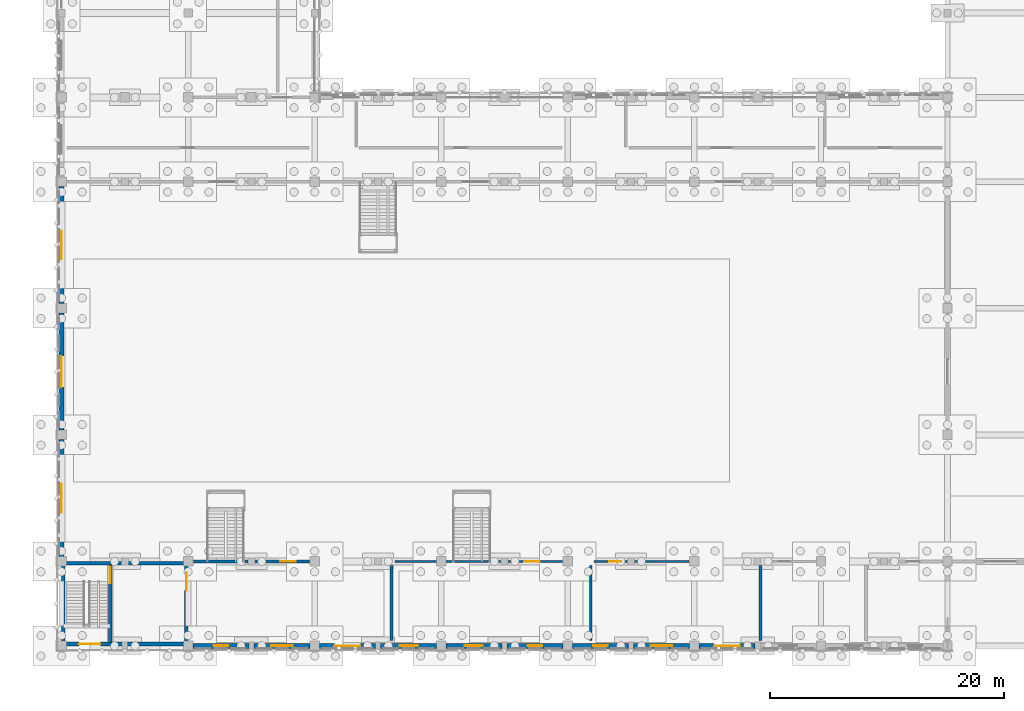
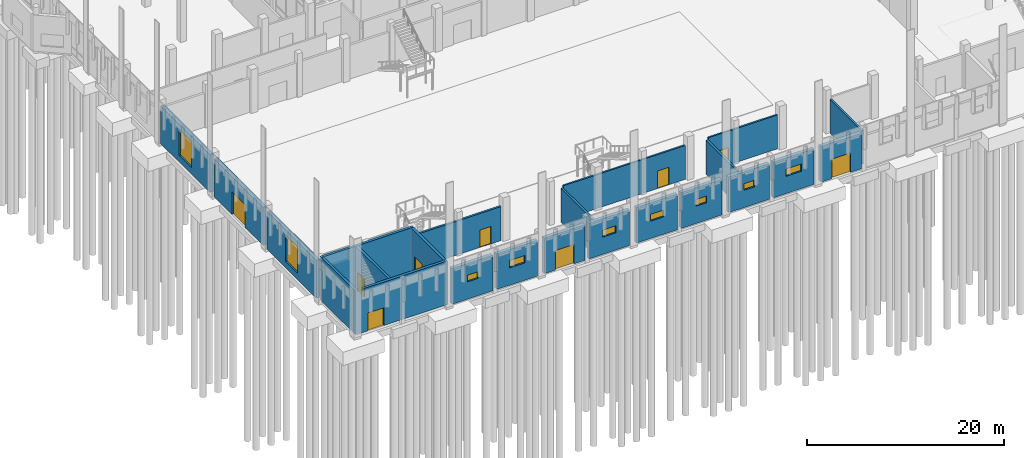
# One storey, part 82 of 109: 23 walls, 9 doors, 9 windows, 18 openings.
"""IFC4 building model written with IfcOpenShell, lengths in metres."""

from ifc_helpers import new_model, si_unit, direction, frame, frame_2d, origin, place, context, subcontext, project, spatial, rectangle, extrude, material, layer, layer_set, type_object, element, fill, save


model = new_model("IFC4")

# Units and contexts
model_context = context("Model", 3, precision=1e-05, world=origin(), true_north=direction((0.0, 1.0)))
body_context = subcontext(model_context, "Body", "Model", "MODEL_VIEW")
ifc_project = project(units=[si_unit("LENGTHUNIT", "METRE"), si_unit("AREAUNIT", "SQUARE_METRE"), si_unit("VOLUMEUNIT", "CUBIC_METRE"), si_unit("PLANEANGLEUNIT", "RADIAN"), si_unit("MASSUNIT", "GRAM", prefix="KILO")], contexts=[model_context])

# Site, building, storey
site_placement = place(None, origin())
site = spatial("IfcSite", under=ifc_project, at=site_placement, CompositionType="ELEMENT")
building_placement = place(site_placement, origin())
building = spatial("IfcBuilding", under=site, at=building_placement, Name="Lusvemor Sports Hall", CompositionType="ELEMENT")
storey_placement = place(building_placement, origin())
storey = spatial("IfcBuildingStorey", under=building, at=storey_placement, Name="L00", CompositionType="ELEMENT", Elevation=0.0)

# Wall, opening, window
ifc_material_1 = material(Name="Precast granite-faced Concrete C40/50 architectural cladding", Category="masonry")
ifc_layer_1 = layer(ifc_material_1, 0.419921875)
ifc_layer_set_1 = layer_set([ifc_layer_1], Name="Precast granite-faced Concrete C40/50 architectural cladding")
wall_type_1 = type_object("IfcWallType", Name="EW_GRANITE_420", PredefinedType="STANDARD", material=ifc_layer_set_1)
wall_1_placement = place(storey_placement, frame((15.97900390625, 0.0, 0.0), z_axis=(0.0, 0.0, 1.0), x_axis=(-1.0, 0.0, 0.0)))
wall_1 = element("IfcWall", 1, at=wall_1_placement, inside=storey, type_object=wall_type_1, Name="Exterior Wall EW-V1S-L00-1-1", PredefinedType="STANDARD", context=body_context, shape_type="SweptSolid", body=[
    extrude(rectangle(XDim=4.782958984375, YDim=0.419921875, at=frame_2d((2.3916015625, 0.0))), origin(), (0.0, 0.0, 1.0), 4.405029296875),
])
opening_1_placement = place(wall_1_placement, frame((1.76904296875, 0.0, 2.14990234375)))
opening_1 = element("IfcOpeningElement", 2, at=opening_1_placement, cuts=wall_1, Name="Opening WN15", PredefinedType="OPENING", context=body_context, shape_type="SweptSolid", body=[
    extrude(rectangle(XDim=1.239990234375, YDim=0.820068359375, at=frame_2d((0.6201171875, 0.41015625))), frame((0.0, 0.2099609375, 0.0), z_axis=(0.0, -1.0, 0.0), x_axis=(1.0, 0.0, 0.0)), (0.0, 0.0, 1.0), 0.419921875),
])
ifc_material_2 = material(Name="Solar-control laminated double glazing", Category="glass")
window_type_1 = type_object("IfcWindowType", Name="WIN_15", PartitioningType="SINGLE_PANEL", PredefinedType="WINDOW", material=ifc_material_2)
window_1_placement = place(opening_1_placement, origin())
window_1 = element("IfcWindow", 3, at=window_1_placement, inside=storey, type_object=window_type_1, Name="Boulevard Trough Changing Window 1.1", OverallHeight=0.820068359375, OverallWidth=1.239990234375, PartitioningType="SINGLE_PANEL", PredefinedType="WINDOW", context=body_context, shape_type="SweptSolid", body=[
    extrude(rectangle(XDim=1.239990234375, YDim=0.820068359375, at=frame_2d((0.6201171875, 0.41015625))), frame((0.0, 0.030029296875, 0.0), z_axis=(0.0, -1.0, 0.0), x_axis=(1.0, 0.0, 0.0)), (0.0, 0.0, 1.0), 0.06005859375),
])
fill(opening_1, window_1)

wall_2_placement = place(storey_placement, frame((21.2041015625, 0.0, 0.0), z_axis=(0.0, 0.0, 1.0), x_axis=(-1.0, 0.0, 0.0)))
wall_2 = element("IfcWall", 4, at=wall_2_placement, inside=storey, type_object=wall_type_1, Name="Exterior Wall EW-V1S-L00-1-2", PredefinedType="STANDARD", context=body_context, shape_type="SweptSolid", body=[
    extrude(rectangle(XDim=4.783203125, YDim=0.419921875, at=frame_2d((2.3916015625, 0.0))), origin(), (0.0, 0.0, 1.0), 4.405029296875),
])
opening_2_placement = place(wall_2_placement, frame((1.47412109375, 0.0, 2.14990234375)))
opening_2 = element("IfcOpeningElement", 5, at=opening_2_placement, cuts=wall_2, Name="Opening WN13", PredefinedType="OPENING", context=body_context, shape_type="SweptSolid", body=[
    extrude(rectangle(XDim=1.840087890625, YDim=0.919921875, at=frame_2d((0.919921875, 0.4599609375))), frame((0.0, 0.2099609375, 0.0), z_axis=(0.0, -1.0, 0.0), x_axis=(1.0, 0.0, 0.0)), (0.0, 0.0, 1.0), 0.419921875),
])
ifc_material_3 = material(Name="Solar-control laminated double glazing", Category="glass")
window_type_2 = type_object("IfcWindowType", Name="WIN_13", PartitioningType="SINGLE_PANEL", PredefinedType="WINDOW", material=ifc_material_3)
window_2_placement = place(opening_2_placement, origin())
window_2 = element("IfcWindow", 6, at=window_2_placement, inside=storey, type_object=window_type_2, Name="Boulevard Trough Changing Window 1.2", OverallHeight=0.919921875, OverallWidth=1.840087890625, PartitioningType="SINGLE_PANEL", PredefinedType="WINDOW", context=body_context, shape_type="SweptSolid", body=[
    extrude(rectangle(XDim=1.840087890625, YDim=0.919921875, at=frame_2d((0.919921875, 0.4599609375))), frame((0.0, 0.030029296875, 0.0), z_axis=(0.0, -1.0, 0.0), x_axis=(1.0, 0.0, 0.0)), (0.0, 0.0, 1.0), 0.06005859375),
])
fill(opening_2, window_2)

# Wall, opening, door
wall_3_placement = place(storey_placement, frame((26.779052734375, 0.0, 0.0), z_axis=(0.0, 0.0, 1.0), x_axis=(-1.0, 0.0, 0.0)))
wall_3 = element("IfcWall", 7, at=wall_3_placement, inside=storey, type_object=wall_type_1, Name="Exterior Wall EW-V1S-L00-2-1", PredefinedType="STANDARD", context=body_context, shape_type="SweptSolid", body=[
    extrude(rectangle(XDim=4.782958984375, YDim=0.419921875, at=frame_2d((2.3916015625, 0.0))), origin(), (0.0, 0.0, 1.0), 4.405029296875),
])
opening_3_placement = place(wall_3_placement, frame((1.279052734375, 0.0, 0.0)))
opening_3 = element("IfcOpeningElement", 8, at=opening_3_placement, cuts=wall_3, Name="Opening ED03", PredefinedType="OPENING", context=body_context, shape_type="SweptSolid", body=[
    extrude(rectangle(XDim=2.219970703125, YDim=2.419921875, at=frame_2d((1.10986328125, 1.2099609375))), frame((0.0, 0.2099609375, 0.0), z_axis=(0.0, -1.0, 0.0), x_axis=(1.0, 0.0, 0.0)), (0.0, 0.0, 1.0), 0.419921875),
])
ifc_material_4 = material(Name="Thermally broken bronze-anodized aluminium", Category="aluminium")
door_type_1 = type_object("IfcDoorType", Name="EDR_COURT_EXIT_222x242", OperationType="NOTDEFINED", PredefinedType="DOOR", material=ifc_material_4)
door_1_placement = place(opening_3_placement, origin())
door_1 = element("IfcDoor", 9, at=door_1_placement, inside=storey, type_object=door_type_1, Name="DR-009", OperationType="SINGLE_SWING_LEFT", OverallHeight=2.419921875, OverallWidth=2.219970703125, PredefinedType="DOOR", context=body_context, shape_type="SweptSolid", body=[
    extrude(rectangle(XDim=2.219970703125, YDim=2.419921875, at=frame_2d((1.10986328125, 1.2099609375))), frame((0.0, 0.02490234375, 0.0), z_axis=(0.0, -1.0, 0.0), x_axis=(1.0, 0.0, 0.0)), (0.0, 0.0, 1.0), 0.050048828125),
])
fill(opening_3, door_1)

# Wall, opening, window
wall_4_placement = place(storey_placement, frame((32.00390625, 0.0, 0.0), z_axis=(0.0, 0.0, 1.0), x_axis=(-1.0, 0.0, 0.0)))
wall_4 = element("IfcWall", 10, at=wall_4_placement, inside=storey, type_object=wall_type_1, Name="Exterior Wall EW-V1S-L00-2-2", PredefinedType="STANDARD", context=body_context, shape_type="SweptSolid", body=[
    extrude(rectangle(XDim=4.782958984375, YDim=0.419921875, at=frame_2d((2.3916015625, 0.0))), origin(), (0.0, 0.0, 1.0), 4.405029296875),
])
opening_4_placement = place(wall_4_placement, frame((1.6240234375, 0.0, 2.14990234375)))
opening_4 = element("IfcOpeningElement", 11, at=opening_4_placement, cuts=wall_4, Name="Opening WN14", PredefinedType="OPENING", context=body_context, shape_type="SweptSolid", body=[
    extrude(rectangle(XDim=1.5400390625, YDim=0.860107421875, at=frame_2d((0.77001953125, 0.43017578125))), frame((0.0, 0.2099609375, 0.0), z_axis=(0.0, -1.0, 0.0), x_axis=(1.0, 0.0, 0.0)), (0.0, 0.0, 1.0), 0.419921875),
])
ifc_material_5 = material(Name="Solar-control laminated double glazing", Category="glass")
window_type_3 = type_object("IfcWindowType", Name="WIN_14", PartitioningType="SINGLE_PANEL", PredefinedType="WINDOW", material=ifc_material_5)
window_3_placement = place(opening_4_placement, origin())
window_3 = element("IfcWindow", 12, at=window_3_placement, inside=storey, type_object=window_type_3, Name="Boulevard Trough Changing Window 2.2", OverallHeight=0.860107421875, OverallWidth=1.5400390625, PartitioningType="SINGLE_PANEL", PredefinedType="WINDOW", context=body_context, shape_type="SweptSolid", body=[
    extrude(rectangle(XDim=1.5400390625, YDim=0.860107421875, at=frame_2d((0.77001953125, 0.43017578125))), frame((0.0, 0.030029296875, 0.0), z_axis=(0.0, -1.0, 0.0), x_axis=(1.0, 0.0, 0.0)), (0.0, 0.0, 1.0), 0.06005859375),
])
fill(opening_4, window_3)

wall_5_placement = place(storey_placement, frame((37.5791015625, 0.0, 0.0), z_axis=(0.0, 0.0, 1.0), x_axis=(-1.0, 0.0, 0.0)))
wall_5 = element("IfcWall", 13, at=wall_5_placement, inside=storey, type_object=wall_type_1, Name="Exterior Wall EW-V1S-L00-3-1", PredefinedType="STANDARD", context=body_context, shape_type="SweptSolid", body=[
    extrude(rectangle(XDim=4.783203125, YDim=0.419921875, at=frame_2d((2.3916015625, 0.0))), origin(), (0.0, 0.0, 1.0), 4.405029296875),
])
opening_5_placement = place(wall_5_placement, frame((1.618896484375, 0.0, 2.14990234375)))
opening_5 = element("IfcOpeningElement", 14, at=opening_5_placement, cuts=wall_5, Name="Opening WN14", PredefinedType="OPENING", context=body_context, shape_type="SweptSolid", body=[
    extrude(rectangle(XDim=1.5400390625, YDim=0.860107421875, at=frame_2d((0.77001953125, 0.43017578125))), frame((0.0, 0.2099609375, 0.0), z_axis=(0.0, -1.0, 0.0), x_axis=(1.0, 0.0, 0.0)), (0.0, 0.0, 1.0), 0.419921875),
])
window_4_placement = place(opening_5_placement, origin())
window_4 = element("IfcWindow", 15, at=window_4_placement, inside=storey, type_object=window_type_3, Name="Boulevard Trough Changing Window 3.1", OverallHeight=0.860107421875, OverallWidth=1.5400390625, PartitioningType="SINGLE_PANEL", PredefinedType="WINDOW", context=body_context, shape_type="SweptSolid", body=[
    extrude(rectangle(XDim=1.5400390625, YDim=0.860107421875, at=frame_2d((0.77001953125, 0.43017578125))), frame((0.0, 0.030029296875, 0.0), z_axis=(0.0, -1.0, 0.0), x_axis=(1.0, 0.0, 0.0)), (0.0, 0.0, 1.0), 0.06005859375),
])
fill(opening_5, window_4)

wall_6_placement = place(storey_placement, frame((42.803955078125, 0.0, 0.0), z_axis=(0.0, 0.0, 1.0), x_axis=(-1.0, 0.0, 0.0)))
wall_6 = element("IfcWall", 16, at=wall_6_placement, inside=storey, type_object=wall_type_1, Name="Exterior Wall EW-V1S-L00-3-2", PredefinedType="STANDARD", context=body_context, shape_type="SweptSolid", body=[
    extrude(rectangle(XDim=4.782958984375, YDim=0.419921875, at=frame_2d((2.3916015625, 0.0))), origin(), (0.0, 0.0, 1.0), 4.405029296875),
])
opening_6_placement = place(wall_6_placement, frame((1.77392578125, 0.0, 2.14990234375)))
opening_6 = element("IfcOpeningElement", 17, at=opening_6_placement, cuts=wall_6, Name="Opening WN15", PredefinedType="OPENING", context=body_context, shape_type="SweptSolid", body=[
    extrude(rectangle(XDim=1.239990234375, YDim=0.820068359375, at=frame_2d((0.6201171875, 0.41015625))), frame((0.0, 0.2099609375, 0.0), z_axis=(0.0, -1.0, 0.0), x_axis=(1.0, 0.0, 0.0)), (0.0, 0.0, 1.0), 0.419921875),
])
window_5_placement = place(opening_6_placement, origin())
window_5 = element("IfcWindow", 18, at=window_5_placement, inside=storey, type_object=window_type_1, Name="Boulevard Trough Changing Window 3.2", OverallHeight=0.820068359375, OverallWidth=1.239990234375, PartitioningType="SINGLE_PANEL", PredefinedType="WINDOW", context=body_context, shape_type="SweptSolid", body=[
    extrude(rectangle(XDim=1.239990234375, YDim=0.820068359375, at=frame_2d((0.6201171875, 0.41015625))), frame((0.0, 0.030029296875, 0.0), z_axis=(0.0, -1.0, 0.0), x_axis=(1.0, 0.0, 0.0)), (0.0, 0.0, 1.0), 0.06005859375),
])
fill(opening_6, window_5)

wall_7_placement = place(storey_placement, frame((48.37890625, 0.0, 0.0), z_axis=(0.0, 0.0, 1.0), x_axis=(-1.0, 0.0, 0.0)))
wall_7 = element("IfcWall", 19, at=wall_7_placement, inside=storey, type_object=wall_type_1, Name="Exterior Wall EW-V1S-L00-4-1", PredefinedType="STANDARD", context=body_context, shape_type="SweptSolid", body=[
    extrude(rectangle(XDim=4.782958984375, YDim=0.419921875, at=frame_2d((2.3916015625, 0.0))), origin(), (0.0, 0.0, 1.0), 4.405029296875),
])
opening_7_placement = place(wall_7_placement, frame((1.76904296875, 0.0, 2.14990234375)))
opening_7 = element("IfcOpeningElement", 20, at=opening_7_placement, cuts=wall_7, Name="Opening WN15", PredefinedType="OPENING", context=body_context, shape_type="SweptSolid", body=[
    extrude(rectangle(XDim=1.239990234375, YDim=0.820068359375, at=frame_2d((0.6201171875, 0.41015625))), frame((0.0, 0.2099609375, 0.0), z_axis=(0.0, -1.0, 0.0), x_axis=(1.0, 0.0, 0.0)), (0.0, 0.0, 1.0), 0.419921875),
])
window_6_placement = place(opening_7_placement, origin())
window_6 = element("IfcWindow", 21, at=window_6_placement, inside=storey, type_object=window_type_1, Name="Boulevard Trough Changing Window 4.1", OverallHeight=0.820068359375, OverallWidth=1.239990234375, PartitioningType="SINGLE_PANEL", PredefinedType="WINDOW", context=body_context, shape_type="SweptSolid", body=[
    extrude(rectangle(XDim=1.239990234375, YDim=0.820068359375, at=frame_2d((0.6201171875, 0.41015625))), frame((0.0, 0.030029296875, 0.0), z_axis=(0.0, -1.0, 0.0), x_axis=(1.0, 0.0, 0.0)), (0.0, 0.0, 1.0), 0.06005859375),
])
fill(opening_7, window_6)

wall_8_placement = place(storey_placement, frame((53.60400390625, 0.0, 0.0), z_axis=(0.0, 0.0, 1.0), x_axis=(-1.0, 0.0, 0.0)))
wall_8 = element("IfcWall", 22, at=wall_8_placement, inside=storey, type_object=wall_type_1, Name="Exterior Wall EW-V1S-L00-4-2", PredefinedType="STANDARD", context=body_context, shape_type="SweptSolid", body=[
    extrude(rectangle(XDim=4.782958984375, YDim=0.419921875, at=frame_2d((2.3916015625, 0.0))), origin(), (0.0, 0.0, 1.0), 4.405029296875),
])
opening_8_placement = place(wall_8_placement, frame((1.47412109375, 0.0, 2.14990234375)))
opening_8 = element("IfcOpeningElement", 23, at=opening_8_placement, cuts=wall_8, Name="Opening WN13", PredefinedType="OPENING", context=body_context, shape_type="SweptSolid", body=[
    extrude(rectangle(XDim=1.840087890625, YDim=0.919921875, at=frame_2d((0.919921875, 0.4599609375))), frame((0.0, 0.2099609375, 0.0), z_axis=(0.0, -1.0, 0.0), x_axis=(1.0, 0.0, 0.0)), (0.0, 0.0, 1.0), 0.419921875),
])
window_7_placement = place(opening_8_placement, origin())
window_7 = element("IfcWindow", 24, at=window_7_placement, inside=storey, type_object=window_type_2, Name="Boulevard Trough Changing Window 4.2", OverallHeight=0.919921875, OverallWidth=1.840087890625, PartitioningType="SINGLE_PANEL", PredefinedType="WINDOW", context=body_context, shape_type="SweptSolid", body=[
    extrude(rectangle(XDim=1.840087890625, YDim=0.919921875, at=frame_2d((0.919921875, 0.4599609375))), frame((0.0, 0.030029296875, 0.0), z_axis=(0.0, -1.0, 0.0), x_axis=(1.0, 0.0, 0.0)), (0.0, 0.0, 1.0), 0.06005859375),
])
fill(opening_8, window_7)

# Wall, opening, door
wall_9_placement = place(storey_placement, frame((59.178955078125, 0.0, 0.0), z_axis=(0.0, 0.0, 1.0), x_axis=(-1.0, 0.0, 0.0)))
wall_9 = element("IfcWall", 25, at=wall_9_placement, inside=storey, type_object=wall_type_1, Name="Exterior Wall EW-V1S-L00-5-1", PredefinedType="STANDARD", context=body_context, shape_type="SweptSolid", body=[
    extrude(rectangle(XDim=4.782958984375, YDim=0.419921875, at=frame_2d((2.3916015625, 0.0))), origin(), (0.0, 0.0, 1.0), 4.405029296875),
])
opening_9_placement = place(wall_9_placement, frame((1.279052734375, 0.0, 0.0)))
opening_9 = element("IfcOpeningElement", 26, at=opening_9_placement, cuts=wall_9, Name="Opening ED03", PredefinedType="OPENING", context=body_context, shape_type="SweptSolid", body=[
    extrude(rectangle(XDim=2.219970703125, YDim=2.419921875, at=frame_2d((1.10986328125, 1.2099609375))), frame((0.0, 0.2099609375, 0.0), z_axis=(0.0, -1.0, 0.0), x_axis=(1.0, 0.0, 0.0)), (0.0, 0.0, 1.0), 0.419921875),
])
door_2_placement = place(opening_9_placement, origin())
door_2 = element("IfcDoor", 27, at=door_2_placement, inside=storey, type_object=door_type_1, Name="DR-012", OperationType="SINGLE_SWING_RIGHT", OverallHeight=2.419921875, OverallWidth=2.219970703125, PredefinedType="DOOR", context=body_context, shape_type="SweptSolid", body=[
    extrude(rectangle(XDim=2.219970703125, YDim=2.419921875, at=frame_2d((1.10986328125, 1.2099609375))), frame((0.0, 0.02490234375, 0.0), z_axis=(0.0, -1.0, 0.0), x_axis=(1.0, 0.0, 0.0)), (0.0, 0.0, 1.0), 0.050048828125),
])
fill(opening_9, door_2)

# Wall, opening, window
wall_10_placement = place(storey_placement, frame((0.0, 7.595947265625, 0.0), z_axis=(0.0, 0.0, 1.0), x_axis=(0.0, 1.0, 0.0)))
wall_10 = element("IfcWall", 28, at=wall_10_placement, inside=storey, type_object=wall_type_1, Name="Exterior Wall EW-V1W-L00-2", PredefinedType="STANDARD", context=body_context, shape_type="SweptSolid", body=[
    extrude(rectangle(XDim=10.008056640625, YDim=0.419921875, at=frame_2d((5.00390625, 0.0))), origin(), (0.0, 0.0, 1.0), 4.699951171875),
])
opening_10_placement = place(wall_10_placement, frame((3.779052734375, 0.0, 0.800048828125)))
opening_10 = element("IfcOpeningElement", 29, at=opening_10_placement, cuts=wall_10, Name="Opening WN01", PredefinedType="OPENING", context=body_context, shape_type="SweptSolid", body=[
    extrude(rectangle(XDim=2.449951171875, YDim=3.25, at=frame_2d((1.22509765625, 1.625))), frame((0.0, 0.2099609375, 0.0), z_axis=(0.0, -1.0, 0.0), x_axis=(1.0, 0.0, 0.0)), (0.0, 0.0, 1.0), 0.419921875),
])
ifc_material_6 = material(Name="Solar-control laminated double glazing", Category="glass")
window_type_4 = type_object("IfcWindowType", Name="WIN_01", PartitioningType="SINGLE_PANEL", PredefinedType="WINDOW", material=ifc_material_6)
window_8_placement = place(opening_10_placement, origin())
window_8 = element("IfcWindow", 30, at=window_8_placement, inside=storey, type_object=window_type_4, Name="West Court Arched Window 2", OverallHeight=3.25, OverallWidth=2.449951171875, PartitioningType="SINGLE_PANEL", PredefinedType="WINDOW", context=body_context, shape_type="SweptSolid", body=[
    extrude(rectangle(XDim=2.449951171875, YDim=3.25, at=frame_2d((1.22509765625, 1.625))), frame((0.0, 0.030029296875, 0.0), z_axis=(0.0, -1.0, 0.0), x_axis=(1.0, 0.0, 0.0)), (0.0, 0.0, 1.0), 0.06005859375),
])
fill(opening_10, window_8)

# Wall, opening, door
wall_11_placement = place(storey_placement, frame((0.0, 18.39599609375, 0.0), z_axis=(0.0, 0.0, 1.0), x_axis=(0.0, 1.0, 0.0)))
wall_11 = element("IfcWall", 31, at=wall_11_placement, inside=storey, type_object=wall_type_1, Name="Exterior Wall EW-V1W-L00-3", PredefinedType="STANDARD", context=body_context, shape_type="SweptSolid", body=[
    extrude(rectangle(XDim=10.008056640625, YDim=0.419921875, at=frame_2d((5.00390625, 0.0))), origin(), (0.0, 0.0, 1.0), 4.699951171875),
])
opening_11_placement = place(wall_11_placement, frame((3.678955078125, 0.0, 0.0)))
opening_11 = element("IfcOpeningElement", 32, at=opening_11_placement, cuts=wall_11, Name="Opening ED01", PredefinedType="OPENING", context=body_context, shape_type="SweptSolid", body=[
    extrude(rectangle(XDim=2.64990234375, YDim=2.85009765625, at=frame_2d((1.324951171875, 1.425048828125))), frame((0.0, 0.2099609375, 0.0), z_axis=(0.0, -1.0, 0.0), x_axis=(1.0, 0.0, 0.0)), (0.0, 0.0, 1.0), 0.419921875),
])
ifc_material_7 = material(Name="Thermally broken bronze-anodized aluminium", Category="aluminium")
door_type_2 = type_object("IfcDoorType", Name="EDR_PORTAL_265x285", OperationType="NOTDEFINED", PredefinedType="DOOR", material=ifc_material_7)
door_3_placement = place(opening_11_placement, origin())
door_3 = element("IfcDoor", 33, at=door_3_placement, inside=storey, type_object=door_type_2, Name="DR-014", OperationType="SINGLE_SWING_LEFT", OverallHeight=2.85009765625, OverallWidth=2.64990234375, PredefinedType="DOOR", context=body_context, shape_type="SweptSolid", body=[
    extrude(rectangle(XDim=2.64990234375, YDim=2.85009765625, at=frame_2d((1.324951171875, 1.425048828125))), frame((0.0, 0.02490234375, 0.0), z_axis=(0.0, -1.0, 0.0), x_axis=(1.0, 0.0, 0.0)), (0.0, 0.0, 1.0), 0.050048828125),
])
fill(opening_11, door_3)

# Wall, opening, window
wall_12_placement = place(storey_placement, frame((0.0, 29.196044921875, 0.0), z_axis=(0.0, 0.0, 1.0), x_axis=(0.0, 1.0, 0.0)))
wall_12 = element("IfcWall", 34, at=wall_12_placement, inside=storey, type_object=wall_type_1, Name="Exterior Wall EW-V1W-L00-4", PredefinedType="STANDARD", context=body_context, shape_type="SweptSolid", body=[
    extrude(rectangle(XDim=10.008056640625, YDim=0.419921875, at=frame_2d((5.00390625, 0.0))), origin(), (0.0, 0.0, 1.0), 4.699951171875),
])
opening_12_placement = place(wall_12_placement, frame((3.779052734375, 0.0, 0.800048828125)))
opening_12 = element("IfcOpeningElement", 35, at=opening_12_placement, cuts=wall_12, Name="Opening WN01", PredefinedType="OPENING", context=body_context, shape_type="SweptSolid", body=[
    extrude(rectangle(XDim=2.449951171875, YDim=3.25, at=frame_2d((1.22509765625, 1.625))), frame((0.0, 0.2099609375, 0.0), z_axis=(0.0, -1.0, 0.0), x_axis=(1.0, 0.0, 0.0)), (0.0, 0.0, 1.0), 0.419921875),
])
window_9_placement = place(opening_12_placement, origin())
window_9 = element("IfcWindow", 36, at=window_9_placement, inside=storey, type_object=window_type_4, Name="West Court Arched Window 4", OverallHeight=3.25, OverallWidth=2.449951171875, PartitioningType="SINGLE_PANEL", PredefinedType="WINDOW", context=body_context, shape_type="SweptSolid", body=[
    extrude(rectangle(XDim=2.449951171875, YDim=3.25, at=frame_2d((1.22509765625, 1.625))), frame((0.0, 0.030029296875, 0.0), z_axis=(0.0, -1.0, 0.0), x_axis=(1.0, 0.0, 0.0)), (0.0, 0.0, 1.0), 0.06005859375),
])
fill(opening_12, window_9)

# Walls
ifc_material_8 = material(Name="Moisture-resistant tiled plumbing service wall")
ifc_layer_2 = layer(ifc_material_8, 0.239990234375)
ifc_layer_set_2 = layer_set([ifc_layer_2], Name="Moisture-resistant tiled plumbing service wall")
wall_type_2 = type_object("IfcWallType", Name="PW_WET_176", PredefinedType="PLUMBINGWALL", material=ifc_layer_set_2)
for number, where, z_axis, x_axis, name in (
    (37, (28.14990234375, 0.449951171875, 0.0), (0.0, 0.0, 1.0), (0.0, 1.0, 0.0), "Partition IW-L00-V1SDIV-1"),
    (38, (45.14990234375, 0.449951171875, 0.0), (0.0, 0.0, 1.0), (0.0, 1.0, 0.0), "Partition IW-L00-V1SDIV-2"),
    (39, (59.64990234375, 0.449951171875, 0.0), (0.0, 0.0, 1.0), (0.0, 1.0, 0.0), "Partition IW-L00-V1SDIV-3"),
):
    element("IfcWall", number, at=place(storey_placement, frame(where, z_axis=z_axis, x_axis=x_axis)), inside=storey, type_object=wall_type_2, Name=name, PredefinedType="PLUMBINGWALL", context=body_context, shape_type="SweptSolid", body=[
        extrude(rectangle(XDim=6.400146484375, YDim=0.239990234375, at=frame_2d((3.2001953125, 0.0))), origin(), (0.0, 0.0, 1.0), 4.199951171875),
    ])

# Wall, opening, door
ifc_material_9 = material(Name="Moisture-resistant tiled plumbing service wall")
ifc_layer_3 = layer(ifc_material_9, 0.18994140625)
ifc_layer_set_3 = layer_set([ifc_layer_3], Name="Moisture-resistant tiled plumbing service wall")
wall_type_3 = type_object("IfcWallType", Name="PW_WET_194", PredefinedType="PLUMBINGWALL", material=ifc_layer_set_3)
wall_13_placement = place(storey_placement, frame((28.449951171875, 7.199951171875, 0.0), z_axis=(0.0, 0.0, 1.0), x_axis=(1.0, 0.0, 0.0)))
wall_13 = element("IfcWall", 40, at=wall_13_placement, inside=storey, type_object=wall_type_3, Name="Partition IW-L00-V1S-CHG-S2", PredefinedType="PLUMBINGWALL", context=body_context, shape_type="SweptSolid", body=[
    extrude(rectangle(XDim=14.300048828125, YDim=0.18994140625, at=frame_2d((7.14990234375, 0.0))), origin(), (0.0, 0.0, 1.0), 4.199951171875),
])
opening_13_placement = place(wall_13_placement, frame((11.032958984375, 0.0, 0.0)))
opening_13 = element("IfcOpeningElement", 41, at=opening_13_placement, cuts=wall_13, Name="Opening ID09", PredefinedType="OPENING", context=body_context, shape_type="SweptSolid", body=[
    extrude(rectangle(XDim=1.320068359375, YDim=2.159912109375, at=frame_2d((0.66015625, 1.080078125))), frame((0.0, 0.094970703125, 0.0), z_axis=(0.0, -1.0, 0.0), x_axis=(1.0, 0.0, 0.0)), (0.0, 0.0, 1.0), 0.18994140625),
])
ifc_material_10 = material(Name="Acoustic solid-core hardwood door leaf in steel frame", Category="steel")
door_type_3 = type_object("IfcDoorType", Name="IDR_CHG_132", OperationType="NOTDEFINED", PredefinedType="DOOR", material=ifc_material_10)
door_4_placement = place(opening_13_placement, origin())
door_4 = element("IfcDoor", 42, at=door_4_placement, inside=storey, type_object=door_type_3, Name="DR-131", OperationType="SINGLE_SWING_RIGHT", OverallHeight=2.159912109375, OverallWidth=1.320068359375, PredefinedType="DOOR", context=body_context, shape_type="SweptSolid", body=[
    extrude(rectangle(XDim=1.320068359375, YDim=2.159912109375, at=frame_2d((0.66015625, 1.080078125))), frame((0.0, 0.02490234375, 0.0), z_axis=(0.0, -1.0, 0.0), x_axis=(1.0, 0.0, 0.0)), (0.0, 0.0, 1.0), 0.050048828125),
])
fill(opening_13, door_4)

wall_14_placement = place(storey_placement, frame((45.449951171875, 7.199951171875, 0.0), z_axis=(0.0, 0.0, 1.0), x_axis=(1.0, 0.0, 0.0)))
wall_14 = element("IfcWall", 43, at=wall_14_placement, inside=storey, type_object=wall_type_3, Name="Partition IW-L00-V1S-CHG-S3", PredefinedType="PLUMBINGWALL", context=body_context, shape_type="SweptSolid", body=[
    extrude(rectangle(XDim=8.10009765625, YDim=0.18994140625, at=frame_2d((4.050048828125, 0.0))), origin(), (0.0, 0.0, 1.0), 4.199951171875),
])
opening_14_placement = place(wall_14_placement, frame((1.26708984375, 0.0, 0.0)))
opening_14 = element("IfcOpeningElement", 44, at=opening_14_placement, cuts=wall_14, Name="Opening ID10", PredefinedType="OPENING", context=body_context, shape_type="SweptSolid", body=[
    extrude(rectangle(XDim=1.06005859375, YDim=2.139892578125, at=frame_2d((0.530029296875, 1.06982421875))), frame((0.0, 0.094970703125, 0.0), z_axis=(0.0, -1.0, 0.0), x_axis=(1.0, 0.0, 0.0)), (0.0, 0.0, 1.0), 0.18994140625),
])
ifc_material_11 = material(Name="Acoustic solid-core hardwood door leaf in steel frame", Category="steel")
door_type_4 = type_object("IfcDoorType", Name="IDR_CHG_106", OperationType="NOTDEFINED", PredefinedType="DOOR", material=ifc_material_11)
door_5_placement = place(opening_14_placement, origin())
door_5 = element("IfcDoor", 45, at=door_5_placement, inside=storey, type_object=door_type_4, Name="DR-132", OperationType="SINGLE_SWING_LEFT", OverallHeight=2.139892578125, OverallWidth=1.06005859375, PredefinedType="DOOR", context=body_context, shape_type="SweptSolid", body=[
    extrude(rectangle(XDim=1.06005859375, YDim=2.139892578125, at=frame_2d((0.530029296875, 1.06982421875))), frame((0.0, 0.02490234375, 0.0), z_axis=(0.0, -1.0, 0.0), x_axis=(1.0, 0.0, 0.0)), (0.0, 0.0, 1.0), 0.050048828125),
])
fill(opening_14, door_5)

ifc_material_12 = material(Name="Moisture-resistant tiled plumbing service wall")
ifc_layer_4 = layer(ifc_material_12, 0.22998046875)
ifc_layer_set_4 = layer_set([ifc_layer_4], Name="Moisture-resistant tiled plumbing service wall")
wall_type_4 = type_object("IfcWallType", Name="PW_WET_234", PredefinedType="PLUMBINGWALL", material=ifc_layer_set_4)
wall_15_placement = place(storey_placement, frame((11.25, 7.199951171875, 0.0), z_axis=(0.0, 0.0, 1.0), x_axis=(1.0, 0.0, 0.0)))
wall_15 = element("IfcWall", 46, at=wall_15_placement, inside=storey, type_object=wall_type_4, Name="Partition IW-L00-V1S-CHG-S1", PredefinedType="PLUMBINGWALL", context=body_context, shape_type="SweptSolid", body=[
    extrude(rectangle(XDim=9.89990234375, YDim=0.22998046875, at=frame_2d((4.949951171875, 0.0))), origin(), (0.0, 0.0, 1.0), 4.199951171875),
])
opening_15_placement = place(wall_15_placement, frame((7.39990234375, 0.0, 0.0)))
opening_15 = element("IfcOpeningElement", 47, at=opening_15_placement, cuts=wall_15, Name="Opening ID09", PredefinedType="OPENING", context=body_context, shape_type="SweptSolid", body=[
    extrude(rectangle(XDim=1.320068359375, YDim=2.159912109375, at=frame_2d((0.66015625, 1.080078125))), frame((0.0, 0.114990234375, 0.0), z_axis=(0.0, -1.0, 0.0), x_axis=(1.0, 0.0, 0.0)), (0.0, 0.0, 1.0), 0.22998046875),
])
door_6_placement = place(opening_15_placement, origin())
door_6 = element("IfcDoor", 48, at=door_6_placement, inside=storey, type_object=door_type_3, Name="DR-135", OperationType="SINGLE_SWING_LEFT", OverallHeight=2.159912109375, OverallWidth=1.320068359375, PredefinedType="DOOR", context=body_context, shape_type="SweptSolid", body=[
    extrude(rectangle(XDim=1.320068359375, YDim=2.159912109375, at=frame_2d((0.66015625, 1.080078125))), frame((0.0, 0.02490234375, 0.0), z_axis=(0.0, -1.0, 0.0), x_axis=(1.0, 0.0, 0.0)), (0.0, 0.0, 1.0), 0.050048828125),
])
fill(opening_15, door_6)

# Walls
ifc_material_13 = material(Name="Concrete C40/50", Category="concrete")
ifc_layer_5 = layer(ifc_material_13, 0.300048828125)
ifc_layer_set_5 = layer_set([ifc_layer_5], Name="Concrete C40/50")
wall_type_5 = type_object("IfcWallType", Name="WALL_CORE_300_INT", PredefinedType="SHEAR", material=ifc_layer_set_5)
wall_16_placement = place(storey_placement, frame((0.0, 7.050048828125, 0.0), z_axis=(0.0, 0.0, 1.0), x_axis=(1.0, 0.0, 0.0)))
element("IfcWall", 49, at=wall_16_placement, inside=storey, type_object=wall_type_5, Name="Core C6 Southwest Hall Shear Wall N (L00)", PredefinedType="SHEAR", context=body_context, shape_type="SweptSolid", body=[
    extrude(rectangle(XDim=10.800048828125, YDim=0.300048828125, at=frame_2d((5.39990234375, 0.0))), origin(), (0.0, 0.0, 1.0), 5.39990234375),
])
wall_17_placement = place(storey_placement, frame((0.14990234375, 0.300048828125, 0.0), z_axis=(0.0, 0.0, 1.0), x_axis=(0.0, 1.0, 0.0)))
element("IfcWall", 50, at=wall_17_placement, inside=storey, type_object=wall_type_5, Name="Core C6 Southwest Hall Shear Wall W (L00)", PredefinedType="SHEAR", context=body_context, shape_type="SweptSolid", body=[
    extrude(rectangle(XDim=6.599853515625, YDim=0.300048828125, at=frame_2d((3.2998046875, 0.0))), origin(), (0.0, 0.0, 1.0), 5.39990234375),
])

# Wall, opening, door
wall_18_placement = place(storey_placement, frame((10.64990234375, 6.89990234375, 0.0), z_axis=(0.0, 0.0, 1.0), x_axis=(0.0, -1.0, 0.0)))
wall_18 = element("IfcWall", 51, at=wall_18_placement, inside=storey, type_object=wall_type_5, Name="Core C6 Southwest Hall Shear Wall E (L00)", PredefinedType="SHEAR", context=body_context, shape_type="SweptSolid", body=[
    extrude(rectangle(XDim=6.599853515625, YDim=0.300048828125, at=frame_2d((3.2998046875, 0.0))), origin(), (0.0, 0.0, 1.0), 5.39990234375),
])
opening_16_placement = place(wall_18_placement, frame((0.64990234375, 0.0, 0.0)))
opening_16 = element("IfcOpeningElement", 52, at=opening_16_placement, cuts=wall_18, Name="Opening DR-FD60-01", PredefinedType="OPENING", context=body_context, shape_type="SweptSolid", body=[
    extrude(rectangle(XDim=1.5400390625, YDim=2.219970703125, at=frame_2d((0.77001953125, 1.10986328125))), frame((0.0, 0.14990234375, 0.0), z_axis=(0.0, -1.0, 0.0), x_axis=(1.0, 0.0, 0.0)), (0.0, 0.0, 1.0), 0.300048828125),
])
ifc_material_14 = material(Name="Fire-rated insulated painted steel door assembly", Category="steel")
door_type_5 = type_object("IfcDoorType", Name="IDR_LOBBY_FD60_154", OperationType="NOTDEFINED", PredefinedType="DOOR", material=ifc_material_14)
door_7_placement = place(opening_16_placement, origin())
door_7 = element("IfcDoor", 53, at=door_7_placement, inside=storey, type_object=door_type_5, Name="DR-111", OperationType="SINGLE_SWING_LEFT", OverallHeight=2.219970703125, OverallWidth=1.5400390625, PredefinedType="DOOR", context=body_context, shape_type="SweptSolid", body=[
    extrude(rectangle(XDim=1.5400390625, YDim=2.219970703125, at=frame_2d((0.77001953125, 1.10986328125))), frame((0.0, 0.02490234375, 0.0), z_axis=(0.0, -1.0, 0.0), x_axis=(1.0, 0.0, 0.0)), (0.0, 0.0, 1.0), 0.050048828125),
])
fill(opening_16, door_7)

wall_19_placement = place(storey_placement, frame((4.14990234375, 0.300048828125, 0.0), z_axis=(0.0, 0.0, 1.0), x_axis=(0.0, 1.0, 0.0)))
wall_19 = element("IfcWall", 54, at=wall_19_placement, inside=storey, type_object=wall_type_5, Name="Core C6 Southwest Hall Shear Wall M (L00)", PredefinedType="SHEAR", context=body_context, shape_type="SweptSolid", body=[
    extrude(rectangle(XDim=6.599853515625, YDim=0.300048828125, at=frame_2d((3.2998046875, 0.0))), origin(), (0.0, 0.0, 1.0), 5.39990234375),
])
opening_17_placement = place(wall_19_placement, frame((5.030029296875, 0.0, 0.0)))
opening_17 = element("IfcOpeningElement", 55, at=opening_17_placement, cuts=wall_19, Name="Opening DR-FD90-01", PredefinedType="OPENING", context=body_context, shape_type="SweptSolid", body=[
    extrude(rectangle(XDim=1.419921875, YDim=2.199951171875, at=frame_2d((0.7099609375, 1.10009765625))), frame((0.0, 0.14990234375, 0.0), z_axis=(0.0, -1.0, 0.0), x_axis=(1.0, 0.0, 0.0)), (0.0, 0.0, 1.0), 0.300048828125),
])
ifc_material_15 = material(Name="Fire-rated insulated painted steel door assembly", Category="steel")
door_type_6 = type_object("IfcDoorType", Name="IDR_STAIR_FD90_142", OperationType="NOTDEFINED", PredefinedType="DOOR", material=ifc_material_15)
door_8_placement = place(opening_17_placement, origin())
door_8 = element("IfcDoor", 56, at=door_8_placement, inside=storey, type_object=door_type_6, Name="DR-110", OperationType="SINGLE_SWING_RIGHT", OverallHeight=2.199951171875, OverallWidth=1.419921875, PredefinedType="DOOR", context=body_context, shape_type="SweptSolid", body=[
    extrude(rectangle(XDim=1.419921875, YDim=2.199951171875, at=frame_2d((0.7099609375, 1.10009765625))), frame((0.0, 0.02490234375, 0.0), z_axis=(0.0, -1.0, 0.0), x_axis=(1.0, 0.0, 0.0)), (0.0, 0.0, 1.0), 0.050048828125),
])
fill(opening_17, door_8)

ifc_material_16 = material(Name="Concrete C40/50", Category="concrete")
ifc_layer_6 = layer(ifc_material_16, 0.324951171875)
ifc_layer_set_6 = layer_set([ifc_layer_6], Name="Concrete C40/50")
wall_type_6 = type_object("IfcWallType", Name="WALL_CORE_325_EXT", PredefinedType="SHEAR", material=ifc_layer_set_6)
wall_20_placement = place(storey_placement, frame((10.800048828125, 0.14990234375, 0.0), z_axis=(0.0, 0.0, 1.0), x_axis=(-1.0, 0.0, 0.0)))
wall_20 = element("IfcWall", 57, at=wall_20_placement, inside=storey, type_object=wall_type_6, Name="Core C6 Southwest Hall Shear Wall S (L00)", PredefinedType="SHEAR", context=body_context, shape_type="SweptSolid", body=[
    extrude(rectangle(XDim=10.800048828125, YDim=0.324951171875, at=frame_2d((5.39990234375, 0.0))), origin(), (0.0, 0.0, 1.0), 5.39990234375),
])
opening_18_placement = place(wall_20_placement, frame((7.5, 0.0, 0.0)))
opening_18 = element("IfcOpeningElement", 58, at=opening_18_placement, cuts=wall_20, Name="Opening ED04", PredefinedType="OPENING", context=body_context, shape_type="SweptSolid", body=[
    extrude(rectangle(XDim=1.820068359375, YDim=2.219970703125, at=frame_2d((0.91015625, 1.10986328125))), frame((0.0, 0.16259765625, 0.0), z_axis=(0.0, -1.0, 0.0), x_axis=(1.0, 0.0, 0.0)), (0.0, 0.0, 1.0), 0.324951171875),
])
ifc_material_17 = material(Name="Thermally broken bronze-anodized aluminium", Category="aluminium")
door_type_7 = type_object("IfcDoorType", Name="EDR_STAIR_EXIT_182x222", OperationType="NOTDEFINED", PredefinedType="DOOR", material=ifc_material_17)
door_9_placement = place(opening_18_placement, origin())
door_9 = element("IfcDoor", 59, at=door_9_placement, inside=storey, type_object=door_type_7, Name="DR-006", OperationType="SINGLE_SWING_RIGHT", OverallHeight=2.219970703125, OverallWidth=1.820068359375, PredefinedType="DOOR", context=body_context, shape_type="SweptSolid", body=[
    extrude(rectangle(XDim=1.820068359375, YDim=2.219970703125, at=frame_2d((0.91015625, 1.10986328125))), frame((0.0, 0.02490234375, 0.0), z_axis=(0.0, -1.0, 0.0), x_axis=(1.0, 0.0, 0.0)), (0.0, 0.0, 1.0), 0.050048828125),
])
fill(opening_18, door_9)

save(model, "model.ifc")
